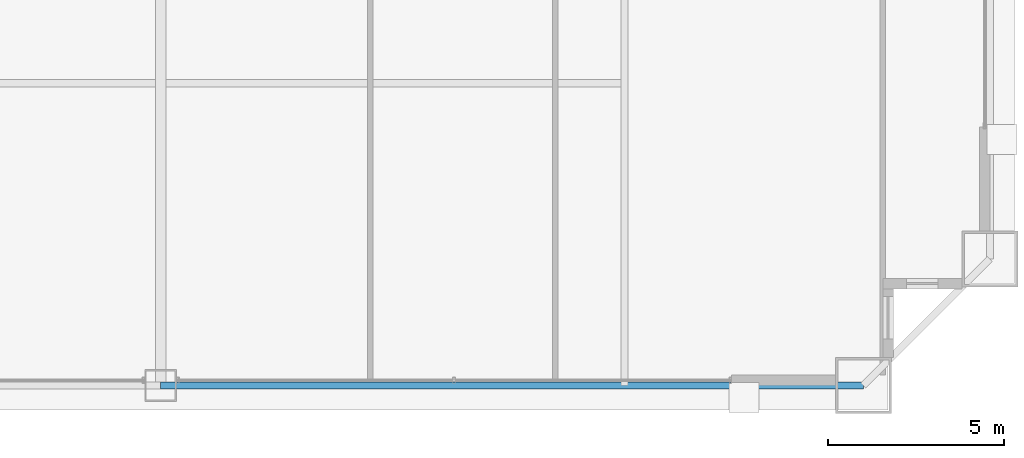
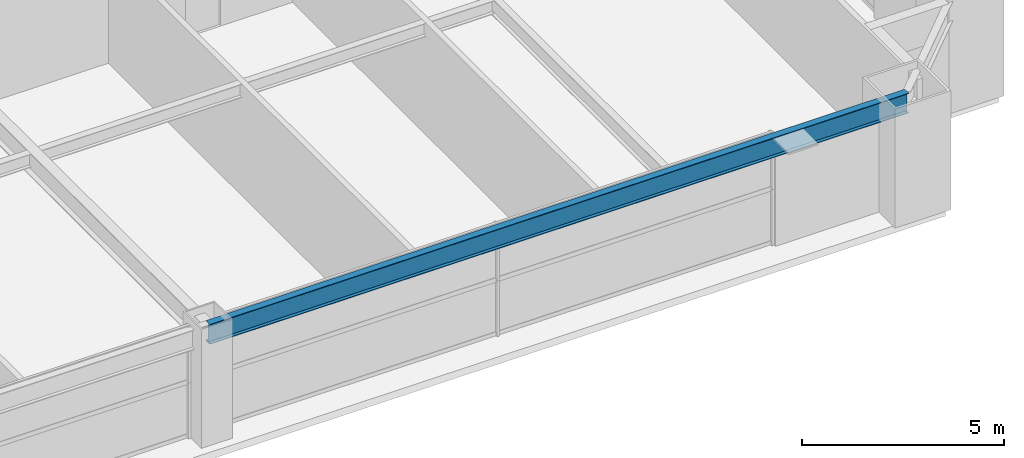
# One storey, part 15 of 39: 1 beam.
"""IFC4 building model written with IfcOpenShell, lengths in metres."""

import ifcopenshell
import ifcopenshell.guid

model = None  # the IFC model being written
_history = None  # IfcOwnerHistory: only IFC2X3 demands one
_inside = {}  # id of a spatial element -> (the spatial element, [elements in it])
_under = {}  # id of a project, library or spatial element -> (it, [spatial elements below it])
_declared = {}  # id of a project -> (the project, [libraries it declares])
_typed = {}  # id of a type object -> (the type object, [elements of that type])
_made_of = {}  # id of a material, layer set ... -> (it, [elements and type objects made of it])


def new_model(schema):
    """Start an empty IFC model of exactly this schema.

    Asked for "IFC4X3", IfcOpenShell would pick the latest addendum, in which some entities
    have other attributes; the version numbers below select the first issue.
    IFC2X3 requires an IfcOwnerHistory on every rooted entity: one is made here for all.
    """
    global model, _history
    if schema == "IFC4X3":
        model = ifcopenshell.file(schema_version=(4, 3, 0, 0))
    else:
        model = ifcopenshell.file(schema=schema)
    _inside.clear()
    _under.clear()
    _declared.clear()
    _typed.clear()
    _made_of.clear()
    _history = None
    if model.schema == "IFC2X3":
        org = make("IfcOrganization", Name="unknown")
        user = make(
            "IfcPersonAndOrganization",
            ThePerson=make("IfcPerson", FamilyName="unknown"),
            TheOrganization=org,
        )
        app = make(
            "IfcApplication",
            ApplicationDeveloper=org,
            Version="unknown",
            ApplicationFullName="unknown",
            ApplicationIdentifier="unknown",
        )
        _history = make(
            "IfcOwnerHistory",
            OwningUser=user,
            OwningApplication=app,
            ChangeAction="ADDED",
            CreationDate=0,
        )
    return model


def make(cls, **values):
    """One entity of the class cls with the attributes given. An attribute that is None is left unset."""
    return model.create_entity(
        cls, **{name: value for name, value in values.items() if value is not None}
    )


def rooted(cls, **values):
    """An entity with a GlobalId (a new one), such as an element, a storey or a relation."""
    return make(cls, GlobalId=ifcopenshell.guid.new(), OwnerHistory=_history, **values)


def si_unit(unit_type, name, prefix=None):
    """IfcSIUnit, for example si_unit("LENGTHUNIT", "METRE", prefix="MILLI")."""
    return make("IfcSIUnit", UnitType=unit_type, Prefix=prefix, Name=name)


def assignment(units):
    """IfcUnitAssignment: the units of a project."""
    return None if units is None else make("IfcUnitAssignment", Units=units)


def point(xyz):
    """IfcCartesianPoint."""
    return None if xyz is None else make("IfcCartesianPoint", Coordinates=xyz)


def direction(xyz):
    """IfcDirection."""
    return None if xyz is None else make("IfcDirection", DirectionRatios=xyz)


def frame(location, z_axis=None, x_axis=None):
    """IfcAxis2Placement3D, a coordinate frame: its origin and axes. An axis left out is left unset."""
    return make(
        "IfcAxis2Placement3D",
        Location=point(location),
        Axis=direction(z_axis),
        RefDirection=direction(x_axis),
    )


def frame_2d(location, x_axis=None):
    """IfcAxis2Placement2D, a coordinate frame in the plane: its origin and x axis."""
    return make(
        "IfcAxis2Placement2D", Location=point(location), RefDirection=direction(x_axis)
    )


def origin():
    """The frame at (0, 0, 0) with its axes left unset."""
    return frame((0.0, 0.0, 0.0))


def origin_2d():
    """The frame at (0, 0) in the plane with its x axis left unset."""
    return frame_2d((0.0, 0.0))


def place(relative_to, where):
    """IfcLocalPlacement: puts the frame where relative to a parent placement (None: the world)."""
    return make(
        "IfcLocalPlacement", PlacementRelTo=relative_to, RelativePlacement=where
    )


def context(
    kind, dimensions, precision=None, world=None, true_north=None, identifier=None
):
    """IfcGeometricRepresentationContext, for example the 3D "Model" context."""
    return make(
        "IfcGeometricRepresentationContext",
        ContextIdentifier=identifier,
        ContextType=kind,
        CoordinateSpaceDimension=dimensions,
        Precision=precision,
        WorldCoordinateSystem=world,
        TrueNorth=true_north,
    )


def subcontext(parent, identifier, kind, view, scale=None):
    """IfcGeometricRepresentationSubContext, for example "Body" below "Model"."""
    return make(
        "IfcGeometricRepresentationSubContext",
        ContextIdentifier=identifier,
        ContextType=kind,
        ParentContext=parent,
        TargetScale=scale,
        TargetView=view,
    )


def project(units=None, contexts=None):
    """IfcProject with its units and contexts."""
    return rooted(
        "IfcProject",
        Name="project",
        RepresentationContexts=contexts,
        UnitsInContext=assignment(units),
    )


def spatial(cls, under=None, at=None, **own):
    """A site, building, storey or space (cls), placed at a placement, below another one or the project."""
    s = rooted(cls, ObjectPlacement=at, **own)
    if under is not None:
        _under.setdefault(under.id(), (under, []))[1].append(s)
    return s


def profile(cls, at=None, kind="AREA", **sizes):
    """A parametric profile (cls). Its sizes go by their IFC names, for example OverallWidth=200.0."""
    return make(cls, ProfileType=kind, Position=at, **sizes)


def i_section(**sizes):
    """IfcIShapeProfileDef."""
    return profile("IfcIShapeProfileDef", **sizes)


def extrude(swept, where, along, depth):
    """IfcExtrudedAreaSolid: the profile swept, set in the frame where, extruded along a direction by depth."""
    return make(
        "IfcExtrudedAreaSolid",
        SweptArea=swept,
        Position=where,
        ExtrudedDirection=direction(along),
        Depth=depth,
    )


def shape(context_of_items, identifier, shape_type, items):
    """IfcShapeRepresentation: the items that make up one representation, for example the "Body"."""
    return make(
        "IfcShapeRepresentation",
        ContextOfItems=context_of_items,
        RepresentationIdentifier=identifier,
        RepresentationType=shape_type,
        Items=items,
    )


def source(mapping_origin, context_of_items, identifier, shape_type, items):
    """IfcRepresentationMap: a shape defined once, which mapped items show again and again."""
    return make(
        "IfcRepresentationMap",
        MappingOrigin=mapping_origin,
        MappedRepresentation=shape(context_of_items, identifier, shape_type, items),
    )


def transform(
    local_origin,
    x_axis=None,
    y_axis=None,
    z_axis=None,
    scale=None,
    scale2=None,
    scale3=None,
    uniform=True,
):
    """IfcCartesianTransformationOperator3D, or its non-uniform kind. x_axis, y_axis, z_axis: its Axis1, 2, 3."""
    if uniform:
        return make(
            "IfcCartesianTransformationOperator3D",
            Axis1=direction(x_axis),
            Axis2=direction(y_axis),
            LocalOrigin=point(local_origin),
            Scale=scale,
            Axis3=direction(z_axis),
        )
    return make(
        "IfcCartesianTransformationOperator3DnonUniform",
        Axis1=direction(x_axis),
        Axis2=direction(y_axis),
        LocalOrigin=point(local_origin),
        Scale=scale,
        Axis3=direction(z_axis),
        Scale2=scale2,
        Scale3=scale3,
    )


def mapped(mapping_source, mapping_target):
    """IfcMappedItem: shows the shape of a source again, moved by a transform."""
    return make(
        "IfcMappedItem", MappingSource=mapping_source, MappingTarget=mapping_target
    )


def material(Name=None, Category=None):
    """IfcMaterial."""
    return make("IfcMaterial", Name=Name, Category=Category)


def material_profile(
    of_material, cross_section, Name=None, Category=None, Priority=None
):
    """IfcMaterialProfile: a cross section and its material."""
    return make(
        "IfcMaterialProfile",
        Name=Name,
        Material=of_material,
        Profile=cross_section,
        Priority=Priority,
        Category=Category,
    )


def profile_set(profiles, Name=None, composite=None):
    """IfcMaterialProfileSet."""
    return make(
        "IfcMaterialProfileSet",
        Name=Name,
        MaterialProfiles=profiles,
        CompositeProfile=composite,
    )


def made_of(thing, what):
    """Note that an element or type object is made of a material, layer set ...; save() writes the relation."""
    if what is not None:
        _made_of.setdefault(what.id(), (what, []))[1].append(thing)
    return thing


def type_object(cls, material=None, **own):
    """A type object (cls), such as IfcWallType, which elements share."""
    return made_of(rooted(cls, **own), material)


def element(
    cls,
    number,
    at=None,
    inside=None,
    cuts=None,
    type_object=None,
    material=None,
    context=None,
    identifier="Body",
    shape_type=None,
    held_by="IfcProductDefinitionShape",
    body=None,
    shapes=None,
    **own,
):
    """One element of the class cls, such as IfcWall. Its Tag is "e" and its number.

    at: its placement. inside: the storey or other place that contains it. cuts: it is an
    opening in that element (IfcRelVoidsElement). A single representation is given by context,
    identifier, shape_type and body (its items); several are given by shapes. held_by: the class
    of the entity that holds the representations. save() writes the other relations.
    """
    e = rooted(cls, Tag="e%d" % number, ObjectPlacement=at, **own)
    if body is not None:
        shapes = [shape(context, identifier, shape_type, body)]
    if shapes is not None:
        e.Representation = make(held_by, Representations=shapes)
    if inside is not None:
        _inside.setdefault(inside.id(), (inside, []))[1].append(e)
    if cuts is not None:
        rooted(
            "IfcRelVoidsElement", RelatingBuildingElement=cuts, RelatedOpeningElement=e
        )
    if type_object is not None:
        _typed.setdefault(type_object.id(), (type_object, []))[1].append(e)
    return made_of(e, material)


def aggregate(whole, parts):
    """IfcRelAggregates: a whole, such as a stair, and the parts it consists of."""
    return rooted("IfcRelAggregates", RelatingObject=whole, RelatedObjects=parts)


def save(model, path):
    """Write the relations noted so far, then the file.

    IfcRelAggregates (storeys below a building ...), IfcRelContainedInSpatialStructure (elements
    in a storey), IfcRelDefinesByType, IfcRelAssociatesMaterial and IfcRelDeclares: one each for
    every whole, place, type object, material and project.
    """
    for whole, parts in _under.values():
        aggregate(whole, parts)
    for where, things in _inside.values():
        rooted(
            "IfcRelContainedInSpatialStructure",
            RelatedElements=things,
            RelatingStructure=where,
        )
    for kind, things in _typed.values():
        rooted("IfcRelDefinesByType", RelatedObjects=things, RelatingType=kind)
    for what, things in _made_of.values():
        rooted("IfcRelAssociatesMaterial", RelatedObjects=things, RelatingMaterial=what)
    for by, libraries in _declared.values():
        rooted("IfcRelDeclares", RelatingContext=by, RelatedDefinitions=libraries)
    model.write(path)


model = new_model("IFC4")

# Units and contexts
model_context = context("Model", 3, precision=1e-05, world=origin(), true_north=direction((0.0, 1.0)))
body_context = subcontext(model_context, "Body", "Model", "MODEL_VIEW")
ifc_project = project(units=[si_unit("LENGTHUNIT", "METRE"), si_unit("AREAUNIT", "SQUARE_METRE"), si_unit("VOLUMEUNIT", "CUBIC_METRE"), si_unit("PLANEANGLEUNIT", "RADIAN"), si_unit("MASSUNIT", "GRAM", prefix="KILO"), si_unit("THERMODYNAMICTEMPERATUREUNIT", "KELVIN"), si_unit("POWERUNIT", "WATT")], contexts=[model_context])

# Site, building, storey
site_placement = place(None, origin())
site = spatial("IfcSite", under=ifc_project, at=site_placement, CompositionType="ELEMENT")
building_placement = place(site_placement, origin())
building = spatial("IfcBuilding", under=site, at=building_placement, Name="Yuzanri Waterfront Tower", CompositionType="ELEMENT")
storey_placement = place(building_placement, frame((0.0, 0.0, 141.60009765625)))
storey = spatial("IfcBuildingStorey", under=building, at=storey_placement, Name="L37", CompositionType="ELEMENT", Elevation=141.60009765625)

# Beam
ifc_material = material(Name="Steel Q355B", Category="steel")
ifc_material_profile = material_profile(ifc_material, i_section(OverallWidth=0.199951171875, OverallDepth=0.60009765625, WebThickness=0.010986328125, FlangeThickness=0.01708984375, at=origin_2d()), Name="HN 600x200x11x17")
ifc_profile_set = profile_set([ifc_material_profile], Name="Steel Q355B")
beam_type = type_object("IfcBeamType", Name="Perimeter Spandrel Q355B HN 600x200", PredefinedType="SPANDREL", material=ifc_profile_set)
shared_shape = source(origin(), body_context, "Body", "SweptSolid", [
    extrude(i_section(OverallWidth=0.199951171875, OverallDepth=0.60009765625, WebThickness=0.010986328125, FlangeThickness=0.01708984375, at=origin_2d()), origin(), (0.0, 0.0, 1.0), 20.0),
])
beam_placement = place(storey_placement, frame((37.0, 2.199951171875, 3.079833984375), z_axis=(1.0, 0.0, 0.0), x_axis=(0.0, 1.0, 0.0)))
element("IfcBeam", 1, at=beam_placement, inside=storey, type_object=beam_type, Name="L37 Perimeter Spandrel S2-S3", PredefinedType="SPANDREL", context=body_context, shape_type="MappedRepresentation", body=[
    mapped(shared_shape, transform((0.0, 0.0, 0.0), scale=1.0)),
])

save(model, "model.ifc")
